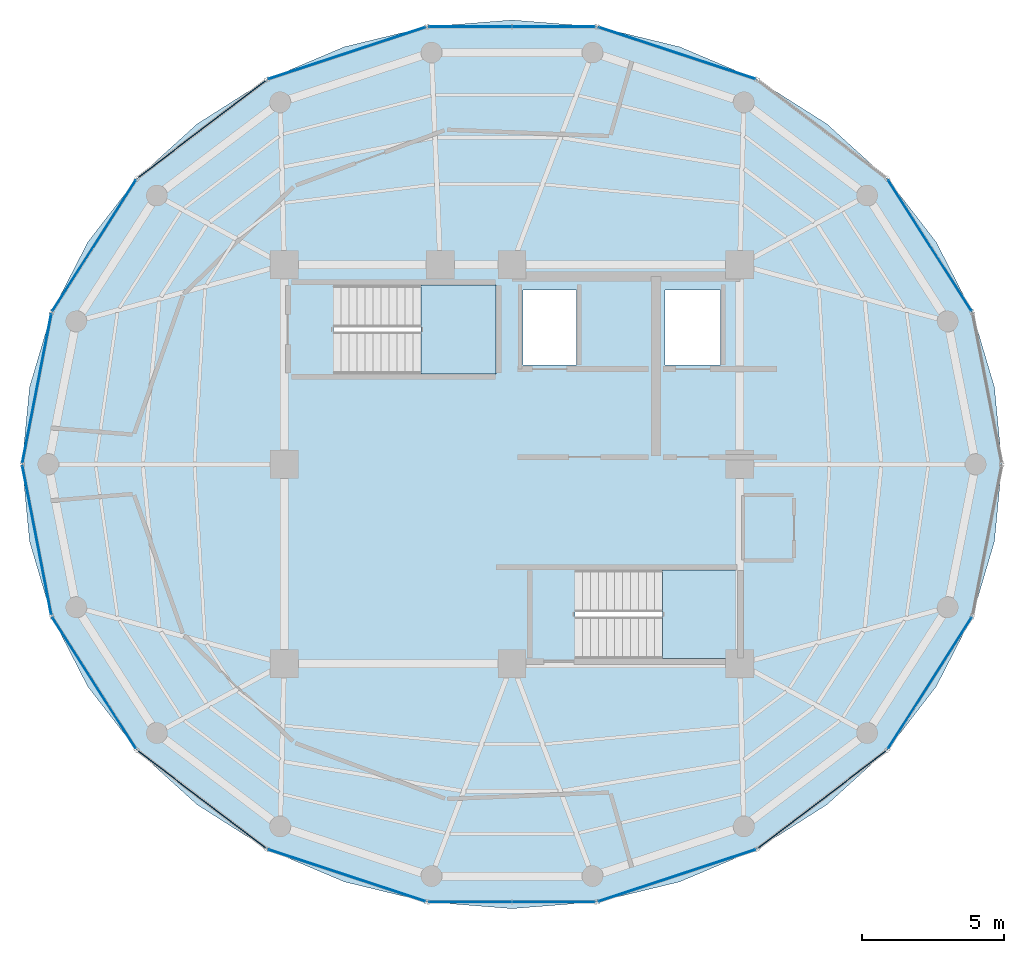
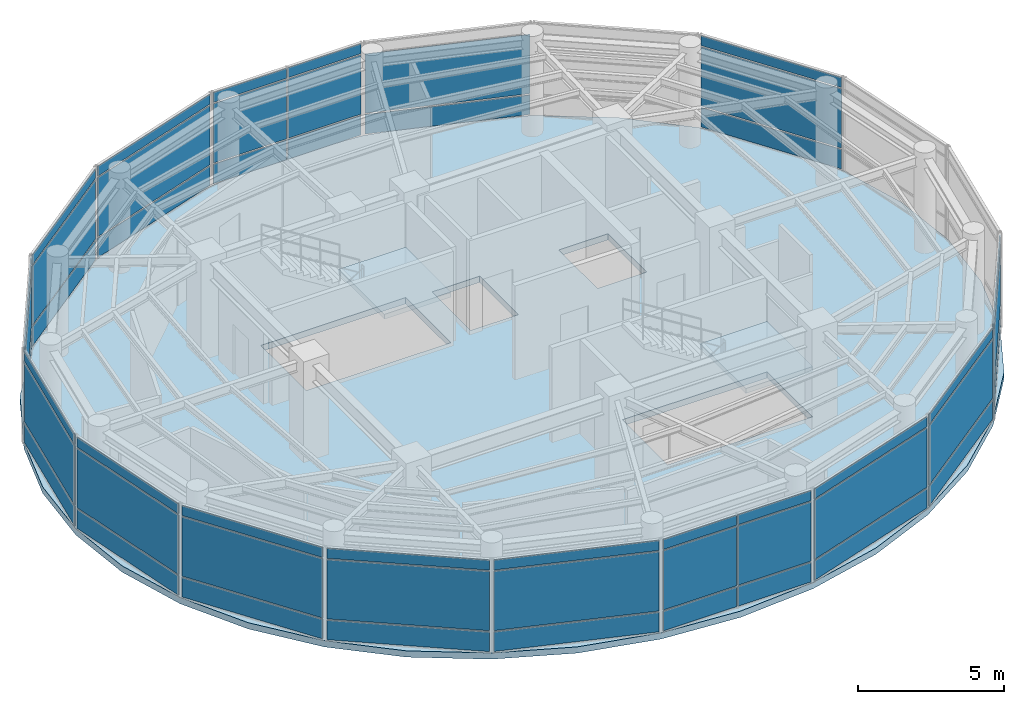
# One storey, part 16 of 19: 50 plates, 3 slabs, 17 elements without a shape of their own.
"""IFC4 building model written with IfcOpenShell, lengths in metres."""

import ifcopenshell
import ifcopenshell.guid

model = None  # the IFC model being written
_history = None  # IfcOwnerHistory: only IFC2X3 demands one
_inside = {}  # id of a spatial element -> (the spatial element, [elements in it])
_under = {}  # id of a project, library or spatial element -> (it, [spatial elements below it])
_declared = {}  # id of a project -> (the project, [libraries it declares])
_typed = {}  # id of a type object -> (the type object, [elements of that type])
_made_of = {}  # id of a material, layer set ... -> (it, [elements and type objects made of it])


def new_model(schema):
    """Start an empty IFC model of exactly this schema.

    Asked for "IFC4X3", IfcOpenShell would pick the latest addendum, in which some entities
    have other attributes; the version numbers below select the first issue.
    IFC2X3 requires an IfcOwnerHistory on every rooted entity: one is made here for all.
    """
    global model, _history
    if schema == "IFC4X3":
        model = ifcopenshell.file(schema_version=(4, 3, 0, 0))
    else:
        model = ifcopenshell.file(schema=schema)
    _inside.clear()
    _under.clear()
    _declared.clear()
    _typed.clear()
    _made_of.clear()
    _history = None
    if model.schema == "IFC2X3":
        org = make("IfcOrganization", Name="unknown")
        user = make(
            "IfcPersonAndOrganization",
            ThePerson=make("IfcPerson", FamilyName="unknown"),
            TheOrganization=org,
        )
        app = make(
            "IfcApplication",
            ApplicationDeveloper=org,
            Version="unknown",
            ApplicationFullName="unknown",
            ApplicationIdentifier="unknown",
        )
        _history = make(
            "IfcOwnerHistory",
            OwningUser=user,
            OwningApplication=app,
            ChangeAction="ADDED",
            CreationDate=0,
        )
    return model


def make(cls, **values):
    """One entity of the class cls with the attributes given. An attribute that is None is left unset."""
    return model.create_entity(
        cls, **{name: value for name, value in values.items() if value is not None}
    )


def rooted(cls, **values):
    """An entity with a GlobalId (a new one), such as an element, a storey or a relation."""
    return make(cls, GlobalId=ifcopenshell.guid.new(), OwnerHistory=_history, **values)


def si_unit(unit_type, name, prefix=None):
    """IfcSIUnit, for example si_unit("LENGTHUNIT", "METRE", prefix="MILLI")."""
    return make("IfcSIUnit", UnitType=unit_type, Prefix=prefix, Name=name)


def assignment(units):
    """IfcUnitAssignment: the units of a project."""
    return None if units is None else make("IfcUnitAssignment", Units=units)


def point(xyz):
    """IfcCartesianPoint."""
    return None if xyz is None else make("IfcCartesianPoint", Coordinates=xyz)


def direction(xyz):
    """IfcDirection."""
    return None if xyz is None else make("IfcDirection", DirectionRatios=xyz)


def frame(location, z_axis=None, x_axis=None):
    """IfcAxis2Placement3D, a coordinate frame: its origin and axes. An axis left out is left unset."""
    return make(
        "IfcAxis2Placement3D",
        Location=point(location),
        Axis=direction(z_axis),
        RefDirection=direction(x_axis),
    )


def frame_2d(location, x_axis=None):
    """IfcAxis2Placement2D, a coordinate frame in the plane: its origin and x axis."""
    return make(
        "IfcAxis2Placement2D", Location=point(location), RefDirection=direction(x_axis)
    )


def origin():
    """The frame at (0, 0, 0) with its axes left unset."""
    return frame((0.0, 0.0, 0.0))


def origin_2d():
    """The frame at (0, 0) in the plane with its x axis left unset."""
    return frame_2d((0.0, 0.0))


def place(relative_to, where):
    """IfcLocalPlacement: puts the frame where relative to a parent placement (None: the world)."""
    return make(
        "IfcLocalPlacement", PlacementRelTo=relative_to, RelativePlacement=where
    )


def context(
    kind, dimensions, precision=None, world=None, true_north=None, identifier=None
):
    """IfcGeometricRepresentationContext, for example the 3D "Model" context."""
    return make(
        "IfcGeometricRepresentationContext",
        ContextIdentifier=identifier,
        ContextType=kind,
        CoordinateSpaceDimension=dimensions,
        Precision=precision,
        WorldCoordinateSystem=world,
        TrueNorth=true_north,
    )


def subcontext(parent, identifier, kind, view, scale=None):
    """IfcGeometricRepresentationSubContext, for example "Body" below "Model"."""
    return make(
        "IfcGeometricRepresentationSubContext",
        ContextIdentifier=identifier,
        ContextType=kind,
        ParentContext=parent,
        TargetScale=scale,
        TargetView=view,
    )


def project(units=None, contexts=None):
    """IfcProject with its units and contexts."""
    return rooted(
        "IfcProject",
        Name="project",
        RepresentationContexts=contexts,
        UnitsInContext=assignment(units),
    )


def spatial(cls, under=None, at=None, **own):
    """A site, building, storey or space (cls), placed at a placement, below another one or the project."""
    s = rooted(cls, ObjectPlacement=at, **own)
    if under is not None:
        _under.setdefault(under.id(), (under, []))[1].append(s)
    return s


def polyline(points):
    """IfcPolyline through the points."""
    return make("IfcPolyline", Points=[point(p) for p in points])


def profile(cls, at=None, kind="AREA", **sizes):
    """A parametric profile (cls). Its sizes go by their IFC names, for example OverallWidth=200.0."""
    return make(cls, ProfileType=kind, Position=at, **sizes)


def rectangle(**sizes):
    """IfcRectangleProfileDef."""
    return profile("IfcRectangleProfileDef", **sizes)


def outline(outer, holes=None, kind="AREA"):
    """IfcArbitraryClosedProfileDef: a profile drawn as a closed curve; with holes, ...WithVoids."""
    if holes is None:
        return make("IfcArbitraryClosedProfileDef", ProfileType=kind, OuterCurve=outer)
    return make(
        "IfcArbitraryProfileDefWithVoids",
        ProfileType=kind,
        OuterCurve=outer,
        InnerCurves=holes,
    )


def extrude(swept, where, along, depth):
    """IfcExtrudedAreaSolid: the profile swept, set in the frame where, extruded along a direction by depth."""
    return make(
        "IfcExtrudedAreaSolid",
        SweptArea=swept,
        Position=where,
        ExtrudedDirection=direction(along),
        Depth=depth,
    )


def shape(context_of_items, identifier, shape_type, items):
    """IfcShapeRepresentation: the items that make up one representation, for example the "Body"."""
    return make(
        "IfcShapeRepresentation",
        ContextOfItems=context_of_items,
        RepresentationIdentifier=identifier,
        RepresentationType=shape_type,
        Items=items,
    )


def source(mapping_origin, context_of_items, identifier, shape_type, items):
    """IfcRepresentationMap: a shape defined once, which mapped items show again and again."""
    return make(
        "IfcRepresentationMap",
        MappingOrigin=mapping_origin,
        MappedRepresentation=shape(context_of_items, identifier, shape_type, items),
    )


def transform(
    local_origin,
    x_axis=None,
    y_axis=None,
    z_axis=None,
    scale=None,
    scale2=None,
    scale3=None,
    uniform=True,
):
    """IfcCartesianTransformationOperator3D, or its non-uniform kind. x_axis, y_axis, z_axis: its Axis1, 2, 3."""
    if uniform:
        return make(
            "IfcCartesianTransformationOperator3D",
            Axis1=direction(x_axis),
            Axis2=direction(y_axis),
            LocalOrigin=point(local_origin),
            Scale=scale,
            Axis3=direction(z_axis),
        )
    return make(
        "IfcCartesianTransformationOperator3DnonUniform",
        Axis1=direction(x_axis),
        Axis2=direction(y_axis),
        LocalOrigin=point(local_origin),
        Scale=scale,
        Axis3=direction(z_axis),
        Scale2=scale2,
        Scale3=scale3,
    )


def mapped(mapping_source, mapping_target):
    """IfcMappedItem: shows the shape of a source again, moved by a transform."""
    return make(
        "IfcMappedItem", MappingSource=mapping_source, MappingTarget=mapping_target
    )


def material(Name=None, Category=None):
    """IfcMaterial."""
    return make("IfcMaterial", Name=Name, Category=Category)


def layer(
    of_material, thickness, ventilated=None, Name=None, Category=None, Priority=None
):
    """IfcMaterialLayer: one layer of a wall or slab, of a material (None: an air gap)."""
    return make(
        "IfcMaterialLayer",
        Material=of_material,
        LayerThickness=thickness,
        IsVentilated=ventilated,
        Name=Name,
        Category=Category,
        Priority=Priority,
    )


def layer_set(layers, Name=None):
    """IfcMaterialLayerSet."""
    return make("IfcMaterialLayerSet", MaterialLayers=layers, LayerSetName=Name)


def made_of(thing, what):
    """Note that an element or type object is made of a material, layer set ...; save() writes the relation."""
    if what is not None:
        _made_of.setdefault(what.id(), (what, []))[1].append(thing)
    return thing


def type_object(cls, material=None, **own):
    """A type object (cls), such as IfcWallType, which elements share."""
    return made_of(rooted(cls, **own), material)


def element(
    cls,
    number,
    at=None,
    inside=None,
    cuts=None,
    type_object=None,
    material=None,
    context=None,
    identifier="Body",
    shape_type=None,
    held_by="IfcProductDefinitionShape",
    body=None,
    shapes=None,
    **own,
):
    """One element of the class cls, such as IfcWall. Its Tag is "e" and its number.

    at: its placement. inside: the storey or other place that contains it. cuts: it is an
    opening in that element (IfcRelVoidsElement). A single representation is given by context,
    identifier, shape_type and body (its items); several are given by shapes. held_by: the class
    of the entity that holds the representations. save() writes the other relations.
    """
    e = rooted(cls, Tag="e%d" % number, ObjectPlacement=at, **own)
    if body is not None:
        shapes = [shape(context, identifier, shape_type, body)]
    if shapes is not None:
        e.Representation = make(held_by, Representations=shapes)
    if inside is not None:
        _inside.setdefault(inside.id(), (inside, []))[1].append(e)
    if cuts is not None:
        rooted(
            "IfcRelVoidsElement", RelatingBuildingElement=cuts, RelatedOpeningElement=e
        )
    if type_object is not None:
        _typed.setdefault(type_object.id(), (type_object, []))[1].append(e)
    return made_of(e, material)


def aggregate(whole, parts):
    """IfcRelAggregates: a whole, such as a stair, and the parts it consists of."""
    return rooted("IfcRelAggregates", RelatingObject=whole, RelatedObjects=parts)


def save(model, path):
    """Write the relations noted so far, then the file.

    IfcRelAggregates (storeys below a building ...), IfcRelContainedInSpatialStructure (elements
    in a storey), IfcRelDefinesByType, IfcRelAssociatesMaterial and IfcRelDeclares: one each for
    every whole, place, type object, material and project.
    """
    for whole, parts in _under.values():
        aggregate(whole, parts)
    for where, things in _inside.values():
        rooted(
            "IfcRelContainedInSpatialStructure",
            RelatedElements=things,
            RelatingStructure=where,
        )
    for kind, things in _typed.values():
        rooted("IfcRelDefinesByType", RelatedObjects=things, RelatingType=kind)
    for what, things in _made_of.values():
        rooted("IfcRelAssociatesMaterial", RelatedObjects=things, RelatingMaterial=what)
    for by, libraries in _declared.values():
        rooted("IfcRelDeclares", RelatingContext=by, RelatedDefinitions=libraries)
    model.write(path)


model = new_model("IFC4")

# Units and contexts
model_context = context("Model", 3, precision=1e-05, world=origin(), true_north=direction((0.0, 1.0)))
body_context = subcontext(model_context, "Body", "Model", "MODEL_VIEW")
ifc_project = project(units=[si_unit("LENGTHUNIT", "METRE"), si_unit("AREAUNIT", "SQUARE_METRE"), si_unit("VOLUMEUNIT", "CUBIC_METRE"), si_unit("PLANEANGLEUNIT", "RADIAN"), si_unit("MASSUNIT", "GRAM", prefix="KILO")], contexts=[model_context])

# Site, building, storey
site_placement = place(None, origin())
site = spatial("IfcSite", under=ifc_project, at=site_placement, CompositionType="ELEMENT")
building_placement = place(site_placement, origin())
building = spatial("IfcBuilding", under=site, at=building_placement, Name="Kelanora Arch Commons", CompositionType="ELEMENT")
storey_placement = place(building_placement, frame((0.0, 0.0, 302.699951171875)))
storey = spatial("IfcBuildingStorey", under=building, at=storey_placement, Name="L77", CompositionType="ELEMENT", Elevation=302.699951171875)

# Stair, slab
ifc_material_1 = material(Name="Concrete C40/50", Category="concrete")
stair_type = type_object("IfcStairType", Name="STR-DL-420", PredefinedType="HALF_TURN_STAIR", material=ifc_material_1)
stair_1_placement = place(storey_placement, origin())
stair_1 = element("IfcStair", 1, at=stair_1_placement, inside=storey, type_object=stair_type, Name="L77 ST-T1", PredefinedType="HALF_TURN_STAIR")
ifc_layer_1 = layer(ifc_material_1, 0.199951171875)
ifc_layer_set_1 = layer_set([ifc_layer_1], Name="Concrete C40/50")
slab_type_1 = type_object("IfcSlabType", Name="SLB-STAIR-LND", PredefinedType="LANDING", material=ifc_layer_set_1)
slab_1_placement = place(storey_placement, frame((0.0, 0.0, 1.900146484375)))
slab_1 = element("IfcSlab", 2, at=slab_1_placement, type_object=slab_type_1, Name="ST-T1 landing 1", PredefinedType="LANDING", context=body_context, shape_type="SweptSolid", body=[
    extrude(outline(polyline([(70.800048828125, 61.179931640625), (73.43994140625, 61.179931640625), (73.43994140625, 64.2900390625), (70.800048828125, 64.2900390625), (70.800048828125, 61.179931640625)])), origin(), (0.0, 0.0, 1.0), 0.199951171875),
])
aggregate(stair_1, [slab_1])

stair_2_placement = place(storey_placement, origin())
stair_2 = element("IfcStair", 3, at=stair_2_placement, inside=storey, type_object=stair_type, Name="L77 ST-T2", PredefinedType="HALF_TURN_STAIR")
slab_2_placement = place(storey_placement, frame((0.0, 0.0, 1.900146484375)))
slab_2 = element("IfcSlab", 4, at=slab_2_placement, type_object=slab_type_1, Name="ST-T2 landing 1", PredefinedType="LANDING", context=body_context, shape_type="SweptSolid", body=[
    extrude(outline(polyline([(79.280029296875, 51.179931640625), (81.919921875, 51.179931640625), (81.919921875, 54.2900390625), (79.280029296875, 54.2900390625), (79.280029296875, 51.179931640625)])), origin(), (0.0, 0.0, 1.0), 0.199951171875),
])
aggregate(stair_2, [slab_2])

# Slab
ifc_layer_2 = layer(ifc_material_1, 0.260009765625)
ifc_layer_set_2 = layer_set([ifc_layer_2], Name="Concrete C40/50")
slab_type_2 = type_object("IfcSlabType", Name="SLB-TWR-TYP", PredefinedType="FLOOR", material=ifc_layer_set_2)
slab_3_placement = place(storey_placement, frame((0.0, 0.0, -0.260009765625)))
element("IfcSlab", 5, at=slab_3_placement, inside=storey, type_object=slab_type_2, Name="Tower Floor Slab L77", PredefinedType="FLOOR", context=body_context, shape_type="SweptSolid", body=[
    extrude(outline(polyline([(91.199951171875, 58.0), (90.938720703125, 60.708984375), (90.16259765625, 63.33544921875), (88.8955078125, 65.800048828125), (87.176025390625, 68.027587890625), (85.055908203125, 69.9501953125), (82.60009765625, 71.510009765625), (79.8828125, 72.6591796875), (76.98681640625, 73.363037109375), (74.0, 73.60009765625), (71.01318359375, 73.363037109375), (68.1171875, 72.6591796875), (65.39990234375, 71.510009765625), (62.944091796875, 69.9501953125), (60.823974609375, 68.027587890625), (59.1044921875, 65.800048828125), (57.83740234375, 63.33544921875), (57.061279296875, 60.708984375), (56.800048828125, 58.0), (57.061279296875, 55.291015625), (57.83740234375, 52.66455078125), (59.1044921875, 50.199951171875), (60.823974609375, 47.972412109375), (62.944091796875, 46.0498046875), (65.39990234375, 44.489990234375), (68.1171875, 43.3408203125), (71.01318359375, 42.636962890625), (74.0, 42.39990234375), (76.98681640625, 42.636962890625), (79.8828125, 43.3408203125), (82.60009765625, 44.489990234375), (85.055908203125, 46.0498046875), (87.176025390625, 47.972412109375), (88.8955078125, 50.199951171875), (90.16259765625, 52.66455078125), (90.938720703125, 55.291015625), (91.199951171875, 58.0)]), holes=[polyline([(81.912109375, 51.18798828125), (76.2080078125, 51.18798828125), (76.2080078125, 54.281982421875), (81.912109375, 54.281982421875), (81.912109375, 51.18798828125)]), polyline([(73.431884765625, 61.18798828125), (67.72802734375, 61.18798828125), (67.72802734375, 64.281982421875), (73.431884765625, 64.281982421875), (73.431884765625, 61.18798828125)]), polyline([(76.260009765625, 61.47998046875), (74.3798828125, 61.47998046875), (74.3798828125, 64.1201171875), (76.260009765625, 64.1201171875), (76.260009765625, 61.47998046875)]), polyline([(81.320068359375, 61.47998046875), (79.3798828125, 61.47998046875), (79.3798828125, 64.1201171875), (81.320068359375, 64.1201171875), (81.320068359375, 61.47998046875)])]), origin(), (0.0, 0.0, 1.0), 0.260009765625),
])

# Curtain wall, plate
ifc_material_2 = material(Name="Terracotta ceramic-fritted low-E glass and aluminium", Category="masonry")
ifc_layer_3 = layer(ifc_material_2, 0.14990234375)
ifc_layer_set_3 = layer_set([ifc_layer_3], Name="Terracotta ceramic-fritted low-E glass and aluminium")
curtain_wall_type = type_object("IfcCurtainWallType", Name="CW-SYS-06", PredefinedType="NOTDEFINED", material=ifc_layer_set_3)
curtain_wall_1_placement = place(storey_placement, origin())
curtain_wall_1 = element("IfcCurtainWall", 6, at=curtain_wall_1_placement, inside=storey, type_object=curtain_wall_type, Name="Unitised Curtain Wall L77-B08", PredefinedType="NOTDEFINED")
ifc_material_3 = material(Name="Terracotta ceramic-fritted double glazing", Category="masonry")
ifc_layer_4 = layer(ifc_material_3, 0.028076171875)
ifc_layer_set_4 = layer_set([ifc_layer_4], Name="Terracotta ceramic-fritted double glazing")
plate_type = type_object("IfcPlateType", Name="CWP-FRIT", PredefinedType="CURTAIN_PANEL", material=ifc_layer_set_4)
shared_shape_1 = source(origin(), body_context, "Body", "SweptSolid", [
    extrude(rectangle(XDim=5.285400390625, YDim=0.028076171875, at=origin_2d()), origin(), (0.0, 0.0, 1.0), 0.81005859375),
])
plate_1_placement = place(storey_placement, frame((57.318603515625, 60.667724609375, 0.06005859375), z_axis=(0.0, 0.0, 1.0), x_axis=(-0.190826579571, -0.981623765263, 0.0)))
plate_1 = element("IfcPlate", 7, at=plate_1_placement, type_object=plate_type, Name="CW-06 panel 1.1", PredefinedType="CURTAIN_PANEL", context=body_context, shape_type="MappedRepresentation", body=[
    mapped(shared_shape_1, transform((0.0, 0.0, 0.0), scale=1.0)),
])

curtain_wall_2_placement = place(storey_placement, origin())
curtain_wall_2 = element("IfcCurtainWall", 8, at=curtain_wall_2_placement, inside=storey, type_object=curtain_wall_type, Name="Unitised Curtain Wall L77-B09", PredefinedType="NOTDEFINED")
plate_2_placement = place(storey_placement, frame((57.318603515625, 55.332275390625, 0.06005859375), z_axis=(0.0, 0.0, 1.0), x_axis=(0.190826579571, -0.981623765263, 0.0)))
plate_2 = element("IfcPlate", 9, at=plate_2_placement, type_object=plate_type, Name="CW-06 panel 1.1", PredefinedType="CURTAIN_PANEL", context=body_context, shape_type="MappedRepresentation", body=[
    mapped(shared_shape_1, transform((0.0, 0.0, 0.0), scale=1.0)),
])

# Plate
shared_shape_2 = source(origin(), body_context, "Body", "SweptSolid", [
    extrude(rectangle(XDim=5.285400390625, YDim=0.028076171875, at=origin_2d()), origin(), (0.0, 0.0, 1.0), 2.465087890625),
])
plate_3_placement = place(storey_placement, frame((57.318603515625, 60.667724609375, 0.93017578125), z_axis=(0.0, 0.0, 1.0), x_axis=(-0.190826579571, -0.981623765263, 0.0)))
plate_3 = element("IfcPlate", 10, at=plate_3_placement, type_object=plate_type, Name="CW-06 panel 1.2", PredefinedType="CURTAIN_PANEL", context=body_context, shape_type="MappedRepresentation", body=[
    mapped(shared_shape_2, transform((0.0, 0.0, 0.0), scale=1.0)),
])

plate_4_placement = place(storey_placement, frame((57.318603515625, 55.332275390625, 0.93017578125), z_axis=(0.0, 0.0, 1.0), x_axis=(0.190826579571, -0.981623765263, 0.0)))
plate_4 = element("IfcPlate", 11, at=plate_4_placement, type_object=plate_type, Name="CW-06 panel 1.2", PredefinedType="CURTAIN_PANEL", context=body_context, shape_type="MappedRepresentation", body=[
    mapped(shared_shape_2, transform((0.0, 0.0, 0.0), scale=1.0)),
])

shared_shape_3 = source(origin(), body_context, "Body", "SweptSolid", [
    extrude(rectangle(XDim=5.285400390625, YDim=0.028076171875, at=origin_2d()), origin(), (0.0, 0.0, 1.0), 0.409912109375),
])
plate_5_placement = place(storey_placement, frame((57.318603515625, 60.667724609375, 3.455078125), z_axis=(0.0, 0.0, 1.0), x_axis=(-0.190826579571, -0.981623765263, 0.0)))
plate_5 = element("IfcPlate", 12, at=plate_5_placement, type_object=plate_type, Name="CW-06 panel 1.3", PredefinedType="CURTAIN_PANEL", context=body_context, shape_type="MappedRepresentation", body=[
    mapped(shared_shape_3, transform((0.0, 0.0, 0.0), scale=1.0)),
])

aggregate(curtain_wall_1, [plate_1, plate_3, plate_5])

plate_6_placement = place(storey_placement, frame((57.318603515625, 55.332275390625, 3.455078125), z_axis=(0.0, 0.0, 1.0), x_axis=(0.190826579571, -0.981623765263, 0.0)))
plate_6 = element("IfcPlate", 13, at=plate_6_placement, type_object=plate_type, Name="CW-06 panel 1.3", PredefinedType="CURTAIN_PANEL", context=body_context, shape_type="MappedRepresentation", body=[
    mapped(shared_shape_3, transform((0.0, 0.0, 0.0), scale=1.0)),
])

aggregate(curtain_wall_2, [plate_2, plate_4, plate_6])

# Curtain wall, plate
curtain_wall_3_placement = place(storey_placement, origin())
curtain_wall_3 = element("IfcCurtainWall", 14, at=curtain_wall_3_placement, inside=storey, type_object=curtain_wall_type, Name="Unitised Curtain Wall L77-B01", PredefinedType="NOTDEFINED")
shared_shape_4 = source(origin(), body_context, "Body", "SweptSolid", [
    extrude(rectangle(XDim=5.411865234375, YDim=0.028076171875, at=origin_2d()), origin(), (0.0, 0.0, 1.0), 0.81005859375),
])
plate_7_placement = place(storey_placement, frame((88.66943359375, 65.681396484375, 0.06005859375), z_axis=(0.0, 0.0, 1.0), x_axis=(-0.536984270154, 0.84359225554, 0.0)))
plate_7 = element("IfcPlate", 15, at=plate_7_placement, type_object=plate_type, Name="CW-06 panel 1.1", PredefinedType="CURTAIN_PANEL", context=body_context, shape_type="MappedRepresentation", body=[
    mapped(shared_shape_4, transform((0.0, 0.0, 0.0), scale=1.0)),
])

curtain_wall_4_placement = place(storey_placement, origin())
curtain_wall_4 = element("IfcCurtainWall", 16, at=curtain_wall_4_placement, inside=storey, type_object=curtain_wall_type, Name="Unitised Curtain Wall L77-B07", PredefinedType="NOTDEFINED")
plate_8_placement = place(storey_placement, frame((59.33056640625, 65.681396484375, 0.06005859375), z_axis=(0.0, 0.0, 1.0), x_axis=(-0.536984270154, -0.84359225554, 0.0)))
plate_8 = element("IfcPlate", 17, at=plate_8_placement, type_object=plate_type, Name="CW-06 panel 1.1", PredefinedType="CURTAIN_PANEL", context=body_context, shape_type="MappedRepresentation", body=[
    mapped(shared_shape_4, transform((0.0, 0.0, 0.0), scale=1.0)),
])

curtain_wall_5_placement = place(storey_placement, origin())
curtain_wall_5 = element("IfcCurtainWall", 18, at=curtain_wall_5_placement, inside=storey, type_object=curtain_wall_type, Name="Unitised Curtain Wall L77-B10", PredefinedType="NOTDEFINED")
plate_9_placement = place(storey_placement, frame((59.33056640625, 50.318603515625, 0.06005859375), z_axis=(0.0, 0.0, 1.0), x_axis=(0.536984270154, -0.84359225554, 0.0)))
plate_9 = element("IfcPlate", 19, at=plate_9_placement, type_object=plate_type, Name="CW-06 panel 1.1", PredefinedType="CURTAIN_PANEL", context=body_context, shape_type="MappedRepresentation", body=[
    mapped(shared_shape_4, transform((0.0, 0.0, 0.0), scale=1.0)),
])

curtain_wall_6_placement = place(storey_placement, origin())
curtain_wall_6 = element("IfcCurtainWall", 20, at=curtain_wall_6_placement, inside=storey, type_object=curtain_wall_type, Name="Unitised Curtain Wall L77-B16", PredefinedType="NOTDEFINED")
plate_10_placement = place(storey_placement, frame((88.66943359375, 50.318603515625, 0.06005859375), z_axis=(0.0, 0.0, 1.0), x_axis=(0.536984270154, 0.84359225554, 0.0)))
plate_10 = element("IfcPlate", 21, at=plate_10_placement, type_object=plate_type, Name="CW-06 panel 1.1", PredefinedType="CURTAIN_PANEL", context=body_context, shape_type="MappedRepresentation", body=[
    mapped(shared_shape_4, transform((0.0, 0.0, 0.0), scale=1.0)),
])

# Plate
shared_shape_5 = source(origin(), body_context, "Body", "SweptSolid", [
    extrude(rectangle(XDim=5.411865234375, YDim=0.028076171875, at=origin_2d()), origin(), (0.0, 0.0, 1.0), 2.465087890625),
])
plate_11_placement = place(storey_placement, frame((88.66943359375, 65.681396484375, 0.93017578125), z_axis=(0.0, 0.0, 1.0), x_axis=(-0.536984270154, 0.84359225554, 0.0)))
plate_11 = element("IfcPlate", 22, at=plate_11_placement, type_object=plate_type, Name="CW-06 panel 1.2", PredefinedType="CURTAIN_PANEL", context=body_context, shape_type="MappedRepresentation", body=[
    mapped(shared_shape_5, transform((0.0, 0.0, 0.0), scale=1.0)),
])

plate_12_placement = place(storey_placement, frame((59.33056640625, 65.681396484375, 0.93017578125), z_axis=(0.0, 0.0, 1.0), x_axis=(-0.536984270154, -0.84359225554, 0.0)))
plate_12 = element("IfcPlate", 23, at=plate_12_placement, type_object=plate_type, Name="CW-06 panel 1.2", PredefinedType="CURTAIN_PANEL", context=body_context, shape_type="MappedRepresentation", body=[
    mapped(shared_shape_5, transform((0.0, 0.0, 0.0), scale=1.0)),
])

plate_13_placement = place(storey_placement, frame((59.33056640625, 50.318603515625, 0.93017578125), z_axis=(0.0, 0.0, 1.0), x_axis=(0.536984270154, -0.84359225554, 0.0)))
plate_13 = element("IfcPlate", 24, at=plate_13_placement, type_object=plate_type, Name="CW-06 panel 1.2", PredefinedType="CURTAIN_PANEL", context=body_context, shape_type="MappedRepresentation", body=[
    mapped(shared_shape_5, transform((0.0, 0.0, 0.0), scale=1.0)),
])

plate_14_placement = place(storey_placement, frame((88.66943359375, 50.318603515625, 0.93017578125), z_axis=(0.0, 0.0, 1.0), x_axis=(0.536984270154, 0.84359225554, 0.0)))
plate_14 = element("IfcPlate", 25, at=plate_14_placement, type_object=plate_type, Name="CW-06 panel 1.2", PredefinedType="CURTAIN_PANEL", context=body_context, shape_type="MappedRepresentation", body=[
    mapped(shared_shape_5, transform((0.0, 0.0, 0.0), scale=1.0)),
])

shared_shape_6 = source(origin(), body_context, "Body", "SweptSolid", [
    extrude(rectangle(XDim=5.411865234375, YDim=0.028076171875, at=origin_2d()), origin(), (0.0, 0.0, 1.0), 0.409912109375),
])
plate_15_placement = place(storey_placement, frame((88.66943359375, 65.681396484375, 3.455078125), z_axis=(0.0, 0.0, 1.0), x_axis=(-0.536984270154, 0.84359225554, 0.0)))
plate_15 = element("IfcPlate", 26, at=plate_15_placement, type_object=plate_type, Name="CW-06 panel 1.3", PredefinedType="CURTAIN_PANEL", context=body_context, shape_type="MappedRepresentation", body=[
    mapped(shared_shape_6, transform((0.0, 0.0, 0.0), scale=1.0)),
])

aggregate(curtain_wall_3, [plate_7, plate_11, plate_15])

plate_16_placement = place(storey_placement, frame((59.33056640625, 65.681396484375, 3.455078125), z_axis=(0.0, 0.0, 1.0), x_axis=(-0.536984270154, -0.84359225554, 0.0)))
plate_16 = element("IfcPlate", 27, at=plate_16_placement, type_object=plate_type, Name="CW-06 panel 1.3", PredefinedType="CURTAIN_PANEL", context=body_context, shape_type="MappedRepresentation", body=[
    mapped(shared_shape_6, transform((0.0, 0.0, 0.0), scale=1.0)),
])

aggregate(curtain_wall_4, [plate_8, plate_12, plate_16])

plate_17_placement = place(storey_placement, frame((59.33056640625, 50.318603515625, 3.455078125), z_axis=(0.0, 0.0, 1.0), x_axis=(0.536984270154, -0.84359225554, 0.0)))
plate_17 = element("IfcPlate", 28, at=plate_17_placement, type_object=plate_type, Name="CW-06 panel 1.3", PredefinedType="CURTAIN_PANEL", context=body_context, shape_type="MappedRepresentation", body=[
    mapped(shared_shape_6, transform((0.0, 0.0, 0.0), scale=1.0)),
])

aggregate(curtain_wall_5, [plate_9, plate_13, plate_17])

plate_18_placement = place(storey_placement, frame((88.66943359375, 50.318603515625, 3.455078125), z_axis=(0.0, 0.0, 1.0), x_axis=(0.536984270154, 0.84359225554, 0.0)))
plate_18 = element("IfcPlate", 29, at=plate_18_placement, type_object=plate_type, Name="CW-06 panel 1.3", PredefinedType="CURTAIN_PANEL", context=body_context, shape_type="MappedRepresentation", body=[
    mapped(shared_shape_6, transform((0.0, 0.0, 0.0), scale=1.0)),
])

aggregate(curtain_wall_6, [plate_10, plate_14, plate_18])

# Curtain wall, plate
curtain_wall_7_placement = place(storey_placement, origin())
curtain_wall_7 = element("IfcCurtainWall", 30, at=curtain_wall_7_placement, inside=storey, type_object=curtain_wall_type, Name="Unitised Curtain Wall L77-B03", PredefinedType="NOTDEFINED")
shared_shape_7 = source(origin(), body_context, "Body", "SweptSolid", [
    extrude(rectangle(XDim=5.76123046875, YDim=0.028076171875, at=origin_2d()), origin(), (0.0, 0.0, 1.0), 0.81005859375),
])
plate_19_placement = place(storey_placement, frame((79.79345703125, 72.4365234375, 0.06005859375), z_axis=(0.0, 0.0, 1.0), x_axis=(-0.949599145368, 0.313466845323, 0.0)))
plate_19 = element("IfcPlate", 31, at=plate_19_placement, type_object=plate_type, Name="CW-06 panel 1.1", PredefinedType="CURTAIN_PANEL", context=body_context, shape_type="MappedRepresentation", body=[
    mapped(shared_shape_7, transform((0.0, 0.0, 0.0), scale=1.0)),
])

curtain_wall_8_placement = place(storey_placement, origin())
curtain_wall_8 = element("IfcCurtainWall", 32, at=curtain_wall_8_placement, inside=storey, type_object=curtain_wall_type, Name="Unitised Curtain Wall L77-B05", PredefinedType="NOTDEFINED")
plate_20_placement = place(storey_placement, frame((68.20654296875, 72.4365234375, 0.06005859375), z_axis=(0.0, 0.0, 1.0), x_axis=(-0.949599145368, -0.313466845323, 0.0)))
plate_20 = element("IfcPlate", 33, at=plate_20_placement, type_object=plate_type, Name="CW-06 panel 1.1", PredefinedType="CURTAIN_PANEL", context=body_context, shape_type="MappedRepresentation", body=[
    mapped(shared_shape_7, transform((0.0, 0.0, 0.0), scale=1.0)),
])

curtain_wall_9_placement = place(storey_placement, origin())
curtain_wall_9 = element("IfcCurtainWall", 34, at=curtain_wall_9_placement, inside=storey, type_object=curtain_wall_type, Name="Unitised Curtain Wall L77-B12", PredefinedType="NOTDEFINED")
plate_21_placement = place(storey_placement, frame((68.20654296875, 43.5634765625, 0.06005859375), z_axis=(0.0, 0.0, 1.0), x_axis=(0.949599145368, -0.313466845323, 0.0)))
plate_21 = element("IfcPlate", 35, at=plate_21_placement, type_object=plate_type, Name="CW-06 panel 1.1", PredefinedType="CURTAIN_PANEL", context=body_context, shape_type="MappedRepresentation", body=[
    mapped(shared_shape_7, transform((0.0, 0.0, 0.0), scale=1.0)),
])

curtain_wall_10_placement = place(storey_placement, origin())
curtain_wall_10 = element("IfcCurtainWall", 36, at=curtain_wall_10_placement, inside=storey, type_object=curtain_wall_type, Name="Unitised Curtain Wall L77-B14", PredefinedType="NOTDEFINED")
plate_22_placement = place(storey_placement, frame((79.79345703125, 43.5634765625, 0.06005859375), z_axis=(0.0, 0.0, 1.0), x_axis=(0.949599145368, 0.313466845323, 0.0)))
plate_22 = element("IfcPlate", 37, at=plate_22_placement, type_object=plate_type, Name="CW-06 panel 1.1", PredefinedType="CURTAIN_PANEL", context=body_context, shape_type="MappedRepresentation", body=[
    mapped(shared_shape_7, transform((0.0, 0.0, 0.0), scale=1.0)),
])

# Plate
shared_shape_8 = source(origin(), body_context, "Body", "SweptSolid", [
    extrude(rectangle(XDim=5.76123046875, YDim=0.028076171875, at=origin_2d()), origin(), (0.0, 0.0, 1.0), 2.465087890625),
])
plate_23_placement = place(storey_placement, frame((79.79345703125, 72.4365234375, 0.93017578125), z_axis=(0.0, 0.0, 1.0), x_axis=(-0.949599145368, 0.313466845323, 0.0)))
plate_23 = element("IfcPlate", 38, at=plate_23_placement, type_object=plate_type, Name="CW-06 panel 1.2", PredefinedType="CURTAIN_PANEL", context=body_context, shape_type="MappedRepresentation", body=[
    mapped(shared_shape_8, transform((0.0, 0.0, 0.0), scale=1.0)),
])

aggregate(curtain_wall_7, [plate_19, plate_23])

plate_24_placement = place(storey_placement, frame((68.20654296875, 72.4365234375, 0.93017578125), z_axis=(0.0, 0.0, 1.0), x_axis=(-0.949599145368, -0.313466845323, 0.0)))
plate_24 = element("IfcPlate", 39, at=plate_24_placement, type_object=plate_type, Name="CW-06 panel 1.2", PredefinedType="CURTAIN_PANEL", context=body_context, shape_type="MappedRepresentation", body=[
    mapped(shared_shape_8, transform((0.0, 0.0, 0.0), scale=1.0)),
])

plate_25_placement = place(storey_placement, frame((68.20654296875, 43.5634765625, 0.93017578125), z_axis=(0.0, 0.0, 1.0), x_axis=(0.949599145368, -0.313466845323, 0.0)))
plate_25 = element("IfcPlate", 40, at=plate_25_placement, type_object=plate_type, Name="CW-06 panel 1.2", PredefinedType="CURTAIN_PANEL", context=body_context, shape_type="MappedRepresentation", body=[
    mapped(shared_shape_8, transform((0.0, 0.0, 0.0), scale=1.0)),
])

plate_26_placement = place(storey_placement, frame((79.79345703125, 43.5634765625, 0.93017578125), z_axis=(0.0, 0.0, 1.0), x_axis=(0.949599145368, 0.313466845323, 0.0)))
plate_26 = element("IfcPlate", 41, at=plate_26_placement, type_object=plate_type, Name="CW-06 panel 1.2", PredefinedType="CURTAIN_PANEL", context=body_context, shape_type="MappedRepresentation", body=[
    mapped(shared_shape_8, transform((0.0, 0.0, 0.0), scale=1.0)),
])

shared_shape_9 = source(origin(), body_context, "Body", "SweptSolid", [
    extrude(rectangle(XDim=5.76123046875, YDim=0.028076171875, at=origin_2d()), origin(), (0.0, 0.0, 1.0), 0.409912109375),
])
plate_27_placement = place(storey_placement, frame((68.20654296875, 72.4365234375, 3.455078125), z_axis=(0.0, 0.0, 1.0), x_axis=(-0.949599145368, -0.313466845323, 0.0)))
plate_27 = element("IfcPlate", 42, at=plate_27_placement, type_object=plate_type, Name="CW-06 panel 1.3", PredefinedType="CURTAIN_PANEL", context=body_context, shape_type="MappedRepresentation", body=[
    mapped(shared_shape_9, transform((0.0, 0.0, 0.0), scale=1.0)),
])

aggregate(curtain_wall_8, [plate_20, plate_24, plate_27])

plate_28_placement = place(storey_placement, frame((68.20654296875, 43.5634765625, 3.455078125), z_axis=(0.0, 0.0, 1.0), x_axis=(0.949599145368, -0.313466845323, 0.0)))
plate_28 = element("IfcPlate", 43, at=plate_28_placement, type_object=plate_type, Name="CW-06 panel 1.3", PredefinedType="CURTAIN_PANEL", context=body_context, shape_type="MappedRepresentation", body=[
    mapped(shared_shape_9, transform((0.0, 0.0, 0.0), scale=1.0)),
])

aggregate(curtain_wall_9, [plate_21, plate_25, plate_28])

plate_29_placement = place(storey_placement, frame((79.79345703125, 43.5634765625, 3.455078125), z_axis=(0.0, 0.0, 1.0), x_axis=(0.949599145368, 0.313466845323, 0.0)))
plate_29 = element("IfcPlate", 44, at=plate_29_placement, type_object=plate_type, Name="CW-06 panel 1.3", PredefinedType="CURTAIN_PANEL", context=body_context, shape_type="MappedRepresentation", body=[
    mapped(shared_shape_9, transform((0.0, 0.0, 0.0), scale=1.0)),
])

aggregate(curtain_wall_10, [plate_22, plate_26, plate_29])

# Curtain wall, plates
curtain_wall_11_placement = place(storey_placement, origin())
curtain_wall_11 = element("IfcCurtainWall", 45, at=curtain_wall_11_placement, inside=storey, type_object=curtain_wall_type, Name="Unitised Curtain Wall L77-B04", PredefinedType="NOTDEFINED")
shared_shape_10 = source(origin(), body_context, "Body", "SweptSolid", [
    extrude(rectangle(XDim=2.881591796875, YDim=0.028076171875, at=origin_2d()), origin(), (0.0, 0.0, 1.0), 0.81005859375),
])
plate_30_placement = place(storey_placement, frame((75.470947265625, 73.363037109375, 0.06005859375), z_axis=(0.0, 0.0, 1.0), x_axis=(-1.0, 0.0, 0.0)))
plate_30 = element("IfcPlate", 46, at=plate_30_placement, type_object=plate_type, Name="CW-06 panel 1.1", PredefinedType="CURTAIN_PANEL", context=body_context, shape_type="MappedRepresentation", body=[
    mapped(shared_shape_10, transform((0.0, 0.0, 0.0), scale=1.0)),
])
plate_31_placement = place(storey_placement, frame((72.529052734375, 73.363037109375, 0.06005859375), z_axis=(0.0, 0.0, 1.0), x_axis=(-1.0, 0.0, 0.0)))
plate_31 = element("IfcPlate", 47, at=plate_31_placement, type_object=plate_type, Name="CW-06 panel 2.1", PredefinedType="CURTAIN_PANEL", context=body_context, shape_type="MappedRepresentation", body=[
    mapped(shared_shape_10, transform((0.0, 0.0, 0.0), scale=1.0)),
])

curtain_wall_12_placement = place(storey_placement, origin())
curtain_wall_12 = element("IfcCurtainWall", 48, at=curtain_wall_12_placement, inside=storey, type_object=curtain_wall_type, Name="Unitised Curtain Wall L77-B13", PredefinedType="NOTDEFINED")
plate_32_placement = place(storey_placement, frame((72.529052734375, 42.636962890625, 0.06005859375), z_axis=(0.0, 0.0, 1.0), x_axis=(1.0, 0.0, 0.0)))
plate_32 = element("IfcPlate", 49, at=plate_32_placement, type_object=plate_type, Name="CW-06 panel 1.1", PredefinedType="CURTAIN_PANEL", context=body_context, shape_type="MappedRepresentation", body=[
    mapped(shared_shape_10, transform((0.0, 0.0, 0.0), scale=1.0)),
])
plate_33_placement = place(storey_placement, frame((75.470947265625, 42.636962890625, 0.06005859375), z_axis=(0.0, 0.0, 1.0), x_axis=(1.0, 0.0, 0.0)))
plate_33 = element("IfcPlate", 50, at=plate_33_placement, type_object=plate_type, Name="CW-06 panel 2.1", PredefinedType="CURTAIN_PANEL", context=body_context, shape_type="MappedRepresentation", body=[
    mapped(shared_shape_10, transform((0.0, 0.0, 0.0), scale=1.0)),
])

# Plate
shared_shape_11 = source(origin(), body_context, "Body", "SweptSolid", [
    extrude(rectangle(XDim=2.881591796875, YDim=0.028076171875, at=origin_2d()), origin(), (0.0, 0.0, 1.0), 2.465087890625),
])
plate_34_placement = place(storey_placement, frame((75.470947265625, 73.363037109375, 0.93017578125), z_axis=(0.0, 0.0, 1.0), x_axis=(-1.0, 0.0, 0.0)))
plate_34 = element("IfcPlate", 51, at=plate_34_placement, type_object=plate_type, Name="CW-06 panel 1.2", PredefinedType="CURTAIN_PANEL", context=body_context, shape_type="MappedRepresentation", body=[
    mapped(shared_shape_11, transform((0.0, 0.0, 0.0), scale=1.0)),
])

plate_35_placement = place(storey_placement, frame((72.529052734375, 73.363037109375, 0.93017578125), z_axis=(0.0, 0.0, 1.0), x_axis=(-1.0, 0.0, 0.0)))
plate_35 = element("IfcPlate", 52, at=plate_35_placement, type_object=plate_type, Name="CW-06 panel 2.2", PredefinedType="CURTAIN_PANEL", context=body_context, shape_type="MappedRepresentation", body=[
    mapped(shared_shape_11, transform((0.0, 0.0, 0.0), scale=1.0)),
])

plate_36_placement = place(storey_placement, frame((72.529052734375, 42.636962890625, 0.93017578125), z_axis=(0.0, 0.0, 1.0), x_axis=(1.0, 0.0, 0.0)))
plate_36 = element("IfcPlate", 53, at=plate_36_placement, type_object=plate_type, Name="CW-06 panel 1.2", PredefinedType="CURTAIN_PANEL", context=body_context, shape_type="MappedRepresentation", body=[
    mapped(shared_shape_11, transform((0.0, 0.0, 0.0), scale=1.0)),
])

plate_37_placement = place(storey_placement, frame((75.470947265625, 42.636962890625, 0.93017578125), z_axis=(0.0, 0.0, 1.0), x_axis=(1.0, 0.0, 0.0)))
plate_37 = element("IfcPlate", 54, at=plate_37_placement, type_object=plate_type, Name="CW-06 panel 2.2", PredefinedType="CURTAIN_PANEL", context=body_context, shape_type="MappedRepresentation", body=[
    mapped(shared_shape_11, transform((0.0, 0.0, 0.0), scale=1.0)),
])

shared_shape_12 = source(origin(), body_context, "Body", "SweptSolid", [
    extrude(rectangle(XDim=2.881591796875, YDim=0.028076171875, at=origin_2d()), origin(), (0.0, 0.0, 1.0), 0.409912109375),
])
plate_38_placement = place(storey_placement, frame((75.470947265625, 73.363037109375, 3.455078125), z_axis=(0.0, 0.0, 1.0), x_axis=(-1.0, 0.0, 0.0)))
plate_38 = element("IfcPlate", 55, at=plate_38_placement, type_object=plate_type, Name="CW-06 panel 1.3", PredefinedType="CURTAIN_PANEL", context=body_context, shape_type="MappedRepresentation", body=[
    mapped(shared_shape_12, transform((0.0, 0.0, 0.0), scale=1.0)),
])

plate_39_placement = place(storey_placement, frame((72.529052734375, 73.363037109375, 3.455078125), z_axis=(0.0, 0.0, 1.0), x_axis=(-1.0, 0.0, 0.0)))
plate_39 = element("IfcPlate", 56, at=plate_39_placement, type_object=plate_type, Name="CW-06 panel 2.3", PredefinedType="CURTAIN_PANEL", context=body_context, shape_type="MappedRepresentation", body=[
    mapped(shared_shape_12, transform((0.0, 0.0, 0.0), scale=1.0)),
])

aggregate(curtain_wall_11, [plate_30, plate_34, plate_38, plate_31, plate_35, plate_39])

plate_40_placement = place(storey_placement, frame((72.529052734375, 42.636962890625, 3.455078125), z_axis=(0.0, 0.0, 1.0), x_axis=(1.0, 0.0, 0.0)))
plate_40 = element("IfcPlate", 57, at=plate_40_placement, type_object=plate_type, Name="CW-06 panel 1.3", PredefinedType="CURTAIN_PANEL", context=body_context, shape_type="MappedRepresentation", body=[
    mapped(shared_shape_12, transform((0.0, 0.0, 0.0), scale=1.0)),
])

plate_41_placement = place(storey_placement, frame((75.470947265625, 42.636962890625, 3.455078125), z_axis=(0.0, 0.0, 1.0), x_axis=(1.0, 0.0, 0.0)))
plate_41 = element("IfcPlate", 58, at=plate_41_placement, type_object=plate_type, Name="CW-06 panel 2.3", PredefinedType="CURTAIN_PANEL", context=body_context, shape_type="MappedRepresentation", body=[
    mapped(shared_shape_12, transform((0.0, 0.0, 0.0), scale=1.0)),
])

aggregate(curtain_wall_12, [plate_32, plate_36, plate_40, plate_33, plate_37, plate_41])

# Curtain wall, plate
curtain_wall_13_placement = place(storey_placement, origin())
curtain_wall_13 = element("IfcCurtainWall", 59, at=curtain_wall_13_placement, inside=storey, type_object=curtain_wall_type, Name="Unitised Curtain Wall L77-B06", PredefinedType="NOTDEFINED")
shared_shape_13 = source(origin(), body_context, "Body", "SweptSolid", [
    extrude(rectangle(XDim=5.6005859375, YDim=0.028076171875, at=origin_2d()), origin(), (0.0, 0.0, 1.0), 0.81005859375),
])
plate_42_placement = place(storey_placement, frame((63.112060546875, 69.768798828125, 0.06005859375), z_axis=(0.0, 0.0, 1.0), x_axis=(-0.795772286688, -0.605595960801, 0.0)))
plate_42 = element("IfcPlate", 60, at=plate_42_placement, type_object=plate_type, Name="CW-06 panel 1.1", PredefinedType="CURTAIN_PANEL", context=body_context, shape_type="MappedRepresentation", body=[
    mapped(shared_shape_13, transform((0.0, 0.0, 0.0), scale=1.0)),
])

curtain_wall_14_placement = place(storey_placement, origin())
curtain_wall_14 = element("IfcCurtainWall", 61, at=curtain_wall_14_placement, inside=storey, type_object=curtain_wall_type, Name="Unitised Curtain Wall L77-B11", PredefinedType="NOTDEFINED")
plate_43_placement = place(storey_placement, frame((63.112060546875, 46.231201171875, 0.06005859375), z_axis=(0.0, 0.0, 1.0), x_axis=(0.795772286688, -0.605595960801, 0.0)))
plate_43 = element("IfcPlate", 62, at=plate_43_placement, type_object=plate_type, Name="CW-06 panel 1.1", PredefinedType="CURTAIN_PANEL", context=body_context, shape_type="MappedRepresentation", body=[
    mapped(shared_shape_13, transform((0.0, 0.0, 0.0), scale=1.0)),
])

curtain_wall_15_placement = place(storey_placement, origin())
curtain_wall_15 = element("IfcCurtainWall", 63, at=curtain_wall_15_placement, inside=storey, type_object=curtain_wall_type, Name="Unitised Curtain Wall L77-B15", PredefinedType="NOTDEFINED")
plate_44_placement = place(storey_placement, frame((84.887939453125, 46.231201171875, 0.06005859375), z_axis=(0.0, 0.0, 1.0), x_axis=(0.795772286688, 0.605595960801, 0.0)))
plate_44 = element("IfcPlate", 64, at=plate_44_placement, type_object=plate_type, Name="CW-06 panel 1.1", PredefinedType="CURTAIN_PANEL", context=body_context, shape_type="MappedRepresentation", body=[
    mapped(shared_shape_13, transform((0.0, 0.0, 0.0), scale=1.0)),
])

# Plate
shared_shape_14 = source(origin(), body_context, "Body", "SweptSolid", [
    extrude(rectangle(XDim=5.6005859375, YDim=0.028076171875, at=origin_2d()), origin(), (0.0, 0.0, 1.0), 2.465087890625),
])
plate_45_placement = place(storey_placement, frame((63.112060546875, 69.768798828125, 0.93017578125), z_axis=(0.0, 0.0, 1.0), x_axis=(-0.795772286688, -0.605595960801, 0.0)))
plate_45 = element("IfcPlate", 65, at=plate_45_placement, type_object=plate_type, Name="CW-06 panel 1.2", PredefinedType="CURTAIN_PANEL", context=body_context, shape_type="MappedRepresentation", body=[
    mapped(shared_shape_14, transform((0.0, 0.0, 0.0), scale=1.0)),
])

plate_46_placement = place(storey_placement, frame((63.112060546875, 46.231201171875, 0.93017578125), z_axis=(0.0, 0.0, 1.0), x_axis=(0.795772286688, -0.605595960801, 0.0)))
plate_46 = element("IfcPlate", 66, at=plate_46_placement, type_object=plate_type, Name="CW-06 panel 1.2", PredefinedType="CURTAIN_PANEL", context=body_context, shape_type="MappedRepresentation", body=[
    mapped(shared_shape_14, transform((0.0, 0.0, 0.0), scale=1.0)),
])

plate_47_placement = place(storey_placement, frame((84.887939453125, 46.231201171875, 0.93017578125), z_axis=(0.0, 0.0, 1.0), x_axis=(0.795772286688, 0.605595960801, 0.0)))
plate_47 = element("IfcPlate", 67, at=plate_47_placement, type_object=plate_type, Name="CW-06 panel 1.2", PredefinedType="CURTAIN_PANEL", context=body_context, shape_type="MappedRepresentation", body=[
    mapped(shared_shape_14, transform((0.0, 0.0, 0.0), scale=1.0)),
])

shared_shape_15 = source(origin(), body_context, "Body", "SweptSolid", [
    extrude(rectangle(XDim=5.6005859375, YDim=0.028076171875, at=origin_2d()), origin(), (0.0, 0.0, 1.0), 0.409912109375),
])
plate_48_placement = place(storey_placement, frame((63.112060546875, 69.768798828125, 3.455078125), z_axis=(0.0, 0.0, 1.0), x_axis=(-0.795772286688, -0.605595960801, 0.0)))
plate_48 = element("IfcPlate", 68, at=plate_48_placement, type_object=plate_type, Name="CW-06 panel 1.3", PredefinedType="CURTAIN_PANEL", context=body_context, shape_type="MappedRepresentation", body=[
    mapped(shared_shape_15, transform((0.0, 0.0, 0.0), scale=1.0)),
])

aggregate(curtain_wall_13, [plate_42, plate_45, plate_48])

plate_49_placement = place(storey_placement, frame((63.112060546875, 46.231201171875, 3.455078125), z_axis=(0.0, 0.0, 1.0), x_axis=(0.795772286688, -0.605595960801, 0.0)))
plate_49 = element("IfcPlate", 69, at=plate_49_placement, type_object=plate_type, Name="CW-06 panel 1.3", PredefinedType="CURTAIN_PANEL", context=body_context, shape_type="MappedRepresentation", body=[
    mapped(shared_shape_15, transform((0.0, 0.0, 0.0), scale=1.0)),
])

aggregate(curtain_wall_14, [plate_43, plate_46, plate_49])

plate_50_placement = place(storey_placement, frame((84.887939453125, 46.231201171875, 3.455078125), z_axis=(0.0, 0.0, 1.0), x_axis=(0.795772286688, 0.605595960801, 0.0)))
plate_50 = element("IfcPlate", 70, at=plate_50_placement, type_object=plate_type, Name="CW-06 panel 1.3", PredefinedType="CURTAIN_PANEL", context=body_context, shape_type="MappedRepresentation", body=[
    mapped(shared_shape_15, transform((0.0, 0.0, 0.0), scale=1.0)),
])

aggregate(curtain_wall_15, [plate_44, plate_47, plate_50])

save(model, "model.ifc")
